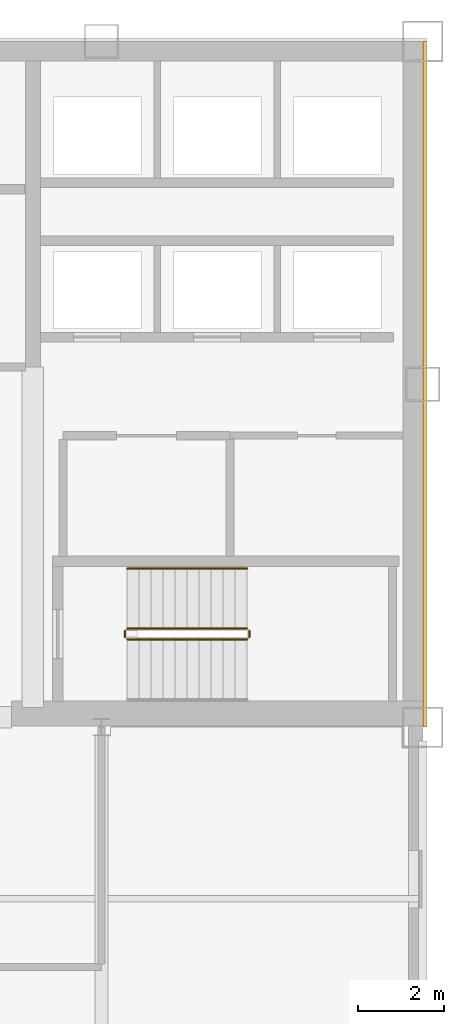
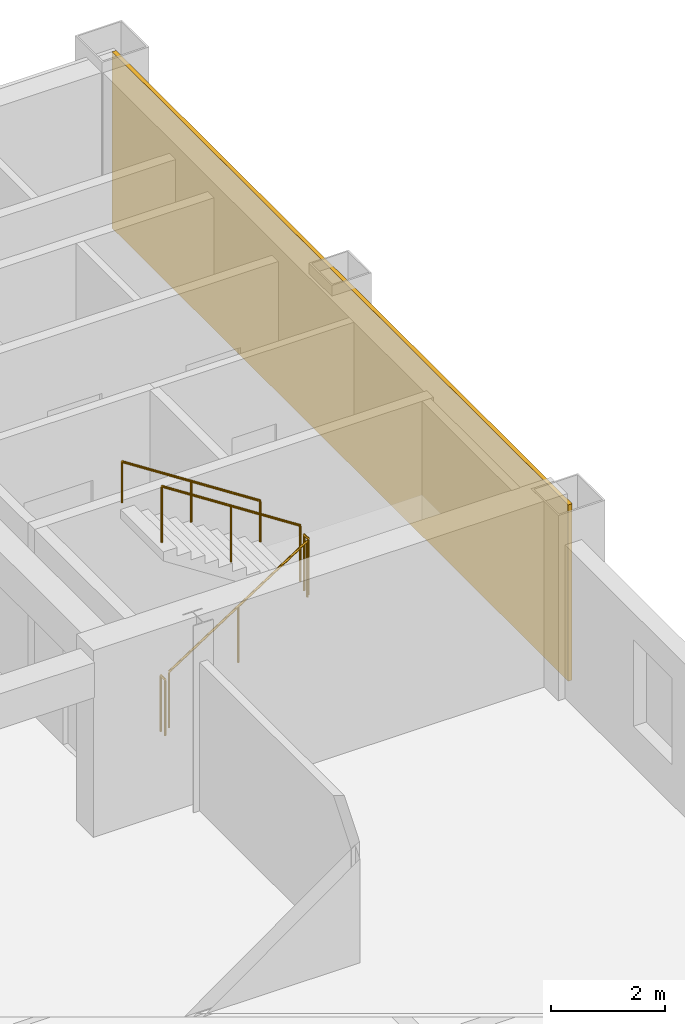
# One storey, part 8 of 10: 5 railings, 1 covering.
"""IFC4 building model written with IfcOpenShell, lengths in metres."""

from ifc_helpers import new_model, si_unit, direction, frame, origin, origin_2d, place, context, subcontext, project, spatial, rectangle, circle, extrude, material, layer, layer_set, type_object, element, save


model = new_model("IFC4")

# Units and contexts
model_context = context("Model", 3, precision=1e-05, world=origin(), true_north=direction((0.0, 1.0)))
body_context = subcontext(model_context, "Body", "Model", "MODEL_VIEW")
ifc_project = project(units=[si_unit("LENGTHUNIT", "METRE"), si_unit("AREAUNIT", "SQUARE_METRE"), si_unit("VOLUMEUNIT", "CUBIC_METRE"), si_unit("PLANEANGLEUNIT", "RADIAN"), si_unit("MASSUNIT", "GRAM", prefix="KILO")], contexts=[model_context])

# Site, building, storey
site_placement = place(None, origin())
site = spatial("IfcSite", under=ifc_project, at=site_placement, CompositionType="ELEMENT")
building_placement = place(site_placement, origin())
building = spatial("IfcBuilding", under=site, at=building_placement, Name="Qianrong Seaharbour Tower", CompositionType="ELEMENT")
storey_placement = place(building_placement, frame((0.0, 0.0, 217.800048828125)))
storey = spatial("IfcBuildingStorey", under=building, at=storey_placement, Name="L52", CompositionType="ELEMENT", Elevation=217.800048828125)

# Covering
ifc_material_1 = material(Name="Unitised red brick cladding on Precast concrete C45/55", Category="masonry")
ifc_layer = layer(ifc_material_1, 0.080078125)
ifc_layer_set = layer_set([ifc_layer], Name="Unitised red brick cladding on Precast concrete C45/55")
covering_type = type_object("IfcCoveringType", Name="COV-CLAD-RED-BRICK-80", PredefinedType="CLADDING", material=ifc_layer_set)
covering_placement = place(storey_placement, frame((64.0400390625, 44.0, 0.0), z_axis=(0.0, 0.0, 1.0), x_axis=(1.0, 0.0, 0.0)))
element("IfcCovering", 1, at=covering_placement, inside=storey, type_object=covering_type, Name="L52 East Core Brick Veneer Cladding", PredefinedType="CLADDING", context=body_context, shape_type="SweptSolid", body=[
    extrude(rectangle(XDim=0.080078125, YDim=16.0, at=origin_2d()), origin(), (0.0, 0.0, 1.0), 3.77490234375),
])

# Railings
ifc_material_2 = material(Name="Galvanized painted steel SN400B stair guard", Category="steel")
railing_type_1 = type_object("IfcRailingType", Name="RAIL-STAIR-GUARD-1220", PredefinedType="GUARDRAIL", material=ifc_material_2)
railing_1_placement = place(storey_placement, frame((57.10009765625, 38.050048828125, 0.181884765625)))
element("IfcRailing", 2, at=railing_1_placement, inside=storey, type_object=railing_type_1, Name="L52 ST-2 stair guard 1", PredefinedType="GUARDRAIL", context=body_context, shape_type="SweptSolid", body=[
    extrude(circle(Radius=0.02392578125, at=origin_2d()), frame((0.0, 0.0, 1.19580078125), z_axis=(0.83868413941, 0.0, 0.544618136222), x_axis=(0.0, 1.0, 0.0)), (0.0, 0.0, 1.0), 3.33837890625),
    extrude(circle(Radius=0.02099609375, at=origin_2d()), origin(), (0.0, 0.0, 1.0), 1.171875),
    extrude(circle(Radius=0.02099609375, at=origin_2d()), frame((1.39990234375, 0.0, 0.9091796875)), (0.0, 0.0, 1.0), 1.171875),
    extrude(circle(Radius=0.02099609375, at=origin_2d()), frame((2.7998046875, 0.0, 1.818115234375)), (0.0, 0.0, 1.0), 1.171875),
])
railing_2_placement = place(storey_placement, frame((59.949951171875, 38.10009765625, 2.0)))
element("IfcRailing", 3, at=railing_2_placement, inside=storey, type_object=railing_type_1, Name="L52 ST-2 stair guard 2", PredefinedType="GUARDRAIL", context=body_context, shape_type="SweptSolid", body=[
    extrude(circle(Radius=0.02392578125, at=origin_2d()), frame((0.0, 0.0, 1.19580078125), z_axis=(0.0, 1.0, 0.0), x_axis=(-1.0, 0.0, 0.0)), (0.0, 0.0, 1.0), 0.14990234375),
    extrude(circle(Radius=0.02099609375, at=origin_2d()), origin(), (0.0, 0.0, 1.0), 1.171875),
    extrude(circle(Radius=0.02099609375, at=origin_2d()), frame((0.0, 0.14990234375, 0.0)), (0.0, 0.0, 1.0), 1.171875),
])
railing_3_placement = place(storey_placement, frame((59.89990234375, 38.300048828125, 2.181884765625)))
element("IfcRailing", 4, at=railing_3_placement, inside=storey, type_object=railing_type_1, Name="L52 ST-2 stair guard 3", PredefinedType="GUARDRAIL", context=body_context, shape_type="SweptSolid", body=[
    extrude(circle(Radius=0.02392578125, at=origin_2d()), frame((0.0, 0.0, 1.19580078125), z_axis=(-0.83868413941, 0.0, 0.544618136222), x_axis=(0.0, -1.0, 0.0)), (0.0, 0.0, 1.0), 3.33837890625),
    extrude(circle(Radius=0.02099609375, at=origin_2d()), origin(), (0.0, 0.0, 1.0), 1.171875),
    extrude(circle(Radius=0.02099609375, at=origin_2d()), frame((-1.39990234375, 0.0, 0.9091796875)), (0.0, 0.0, 1.0), 1.171875),
    extrude(circle(Radius=0.02099609375, at=origin_2d()), frame((-2.7998046875, 0.0, 1.818115234375)), (0.0, 0.0, 1.0), 1.171875),
])
railing_4_placement = place(storey_placement, frame((57.050048828125, 38.10009765625, 0.0)))
element("IfcRailing", 5, at=railing_4_placement, inside=storey, type_object=railing_type_1, Name="L52 ST-2 stair guard 4", PredefinedType="GUARDRAIL", context=body_context, shape_type="SweptSolid", body=[
    extrude(circle(Radius=0.02392578125, at=origin_2d()), frame((0.0, 0.0, 1.19580078125), z_axis=(0.0, 1.0, 0.0), x_axis=(-1.0, 0.0, 0.0)), (0.0, 0.0, 1.0), 0.14990234375),
    extrude(circle(Radius=0.02099609375, at=origin_2d()), origin(), (0.0, 0.0, 1.0), 1.171875),
    extrude(circle(Radius=0.02099609375, at=origin_2d()), frame((0.0, 0.14990234375, 0.0)), (0.0, 0.0, 1.0), 1.171875),
])
ifc_material_3 = material(Name="Stainless steel SUS316L continuous handrail", Category="steel")
railing_type_2 = type_object("IfcRailingType", Name="RAIL-STAIR-HANDRAIL-900", PredefinedType="HANDRAIL", material=ifc_material_3)
railing_5_placement = place(storey_placement, frame((59.89990234375, 39.699951171875, 2.181884765625)))
element("IfcRailing", 6, at=railing_5_placement, inside=storey, type_object=railing_type_2, Name="L52 ST-2 stair handrail 2", PredefinedType="HANDRAIL", context=body_context, shape_type="SweptSolid", body=[
    extrude(circle(Radius=0.02392578125, at=origin_2d()), frame((0.0, 0.0, 0.8759765625), z_axis=(-0.83868413941, 0.0, 0.544618136222), x_axis=(0.0, -1.0, 0.0)), (0.0, 0.0, 1.0), 3.33837890625),
    extrude(circle(Radius=0.02099609375, at=origin_2d()), origin(), (0.0, 0.0, 1.0), 0.851806640625),
    extrude(circle(Radius=0.02099609375, at=origin_2d()), frame((-1.39990234375, 0.0, 0.9091796875)), (0.0, 0.0, 1.0), 0.851806640625),
    extrude(circle(Radius=0.02099609375, at=origin_2d()), frame((-2.7998046875, 0.0, 1.818115234375)), (0.0, 0.0, 1.0), 0.851806640625),
])

save(model, "model.ifc")
